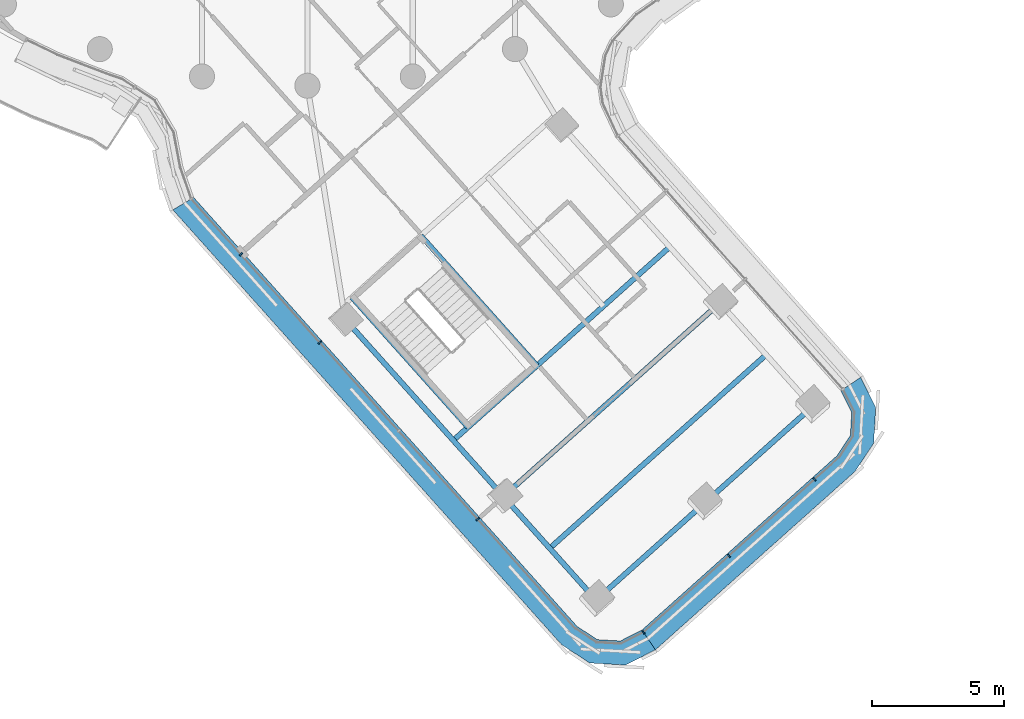
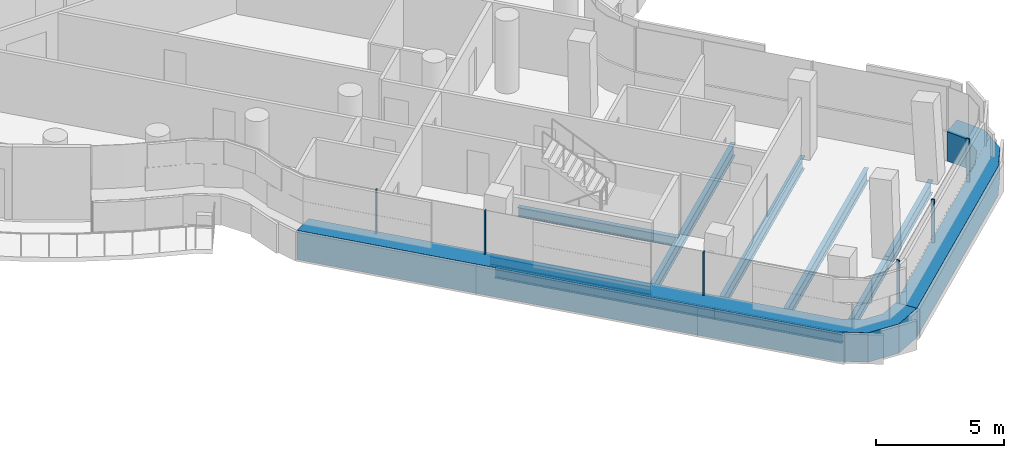
# One storey, part 4 of 33: 9 beams, 8 members, 2 elements without a shape of their own.
"""IFC4 building model written with IfcOpenShell, lengths in metres."""

from ifc_helpers import new_model, si_unit, direction, frame, origin, origin_2d, place, context, subcontext, project, spatial, polyline, rectangle, i_section, outline, extrude, material, layer, layer_set, material_profile, profile_set, type_object, element, aggregate, save


model = new_model("IFC4")

# Units and contexts
model_context = context("Model", 3, precision=1e-05, world=origin(), true_north=direction((0.0, 1.0)))
body_context = subcontext(model_context, "Body", "Model", "MODEL_VIEW")
ifc_project = project(units=[si_unit("LENGTHUNIT", "METRE"), si_unit("AREAUNIT", "SQUARE_METRE"), si_unit("VOLUMEUNIT", "CUBIC_METRE"), si_unit("PLANEANGLEUNIT", "RADIAN"), si_unit("MASSUNIT", "GRAM", prefix="KILO")], contexts=[model_context])

# Site, building, storey
site_placement = place(None, origin())
site = spatial("IfcSite", under=ifc_project, at=site_placement, CompositionType="ELEMENT")
building_placement = place(site_placement, origin())
building = spatial("IfcBuilding", under=site, at=building_placement, Name="Tamarind Cross Interchange Tower", CompositionType="ELEMENT")
storey_placement = place(building_placement, frame((0.0, 0.0, 186.10009765625)))
storey = spatial("IfcBuildingStorey", under=building, at=storey_placement, Name="L46", CompositionType="ELEMENT", Elevation=186.10009765625)

# Beams
ifc_material_1 = material(Name="Steel Q355B", Category="steel")
ifc_material_profile_1 = material_profile(ifc_material_1, i_section(OverallWidth=0.198974609375, OverallDepth=0.446044921875, WebThickness=0.008056640625, FlangeThickness=0.011962890625, FilletRadius=0.012939453125, at=origin_2d()), Name="HN 446x199x8x12")
ifc_profile_set_1 = profile_set([ifc_material_profile_1], Name="Steel Q355B")
beam_type_1 = type_object("IfcBeamType", Name="Composite beam HN 446x199x8x12 Q355B", PredefinedType="BEAM", material=ifc_profile_set_1)
beam_1_placement = place(storey_placement, frame((10.9375, -42.489501953125, -0.363037109375), z_axis=(-0.666424773134, 0.745572278021, 0.0), x_axis=(-0.745572278021, -0.666424773134, 0.0)))
element("IfcBeam", 1, at=beam_1_placement, inside=storey, type_object=beam_type_1, Name="Beam S-edgeem5", PredefinedType="BEAM", context=body_context, shape_type="SweptSolid", body=[
    extrude(i_section(OverallWidth=0.198974609375, OverallDepth=0.446044921875, WebThickness=0.008056640625, FlangeThickness=0.011962890625, FilletRadius=0.012939453125, at=origin_2d()), origin(), (0.0, 0.0, 1.0), 5.265380859375),
])
beam_2_placement = place(storey_placement, frame((7.428466796875, -38.563720703125, -0.363037109375), z_axis=(-0.666420511024, 0.745576087658, 0.0), x_axis=(-0.745576087658, -0.666420511024, 0.0)))
element("IfcBeam", 2, at=beam_2_placement, inside=storey, type_object=beam_type_1, Name="Beam S-edgeem6", PredefinedType="BEAM", context=body_context, shape_type="SweptSolid", body=[
    extrude(i_section(OverallWidth=0.198974609375, OverallDepth=0.446044921875, WebThickness=0.008056640625, FlangeThickness=0.011962890625, FilletRadius=0.012939453125, at=origin_2d()), origin(), (0.0, 0.0, 1.0), 9.0),
])
for number, where, z_axis, x_axis, name in (
    (3, (1.68994140625, -31.018310546875, -0.363037109375), (0.666436876651, -0.745561459197, 0.0), (0.745561459197, 0.666436876651, 0.0), "Beam S-tr0"),
    (4, (4.299560546875, -28.685791015625, -0.363037109375), (0.666436876651, -0.745561459197, 0.0), (0.745561459197, 0.666436876651, 0.0), "Beam S-tr1"),
):
    element("IfcBeam", number, at=place(storey_placement, frame(where, z_axis=z_axis, x_axis=x_axis)), inside=storey, type_object=beam_type_1, Name=name, PredefinedType="BEAM", context=body_context, shape_type="SweptSolid", body=[
        extrude(i_section(OverallWidth=0.198974609375, OverallDepth=0.446044921875, WebThickness=0.008056640625, FlangeThickness=0.011962890625, FilletRadius=0.012939453125, at=origin_2d()), origin(), (0.0, 0.0, 1.0), 6.599853515625),
    ])
ifc_material_profile_2 = material_profile(ifc_material_1, i_section(OverallWidth=0.198974609375, OverallDepth=0.595947265625, WebThickness=0.010009765625, FlangeThickness=0.014892578125, FilletRadius=0.012939453125, at=origin_2d()), Name="HN 596x199x10x15")
ifc_profile_set_2 = profile_set([ifc_material_profile_2], Name="Steel Q355B")
beam_type_2 = type_object("IfcBeamType", Name="Composite beam HN 596x199x10x15 Q355B", PredefinedType="BEAM", material=ifc_profile_set_2)
beam_3_placement = place(storey_placement, frame((10.9375, -42.489501953125, -0.43798828125), z_axis=(0.745569755737, 0.666427594965, 0.0), x_axis=(-0.666427594965, 0.745569755737, 0.0)))
element("IfcBeam", 5, at=beam_3_placement, inside=storey, type_object=beam_type_2, Name="Beam S-tip0", PredefinedType="BEAM", context=body_context, shape_type="SweptSolid", body=[
    extrude(i_section(OverallWidth=0.198974609375, OverallDepth=0.595947265625, WebThickness=0.010009765625, FlangeThickness=0.014892578125, FilletRadius=0.012939453125, at=origin_2d()), origin(), (0.0, 0.0, 1.0), 5.500244140625),
])
beam_4_placement = place(storey_placement, frame((15.038330078125, -38.823974609375, -0.43798828125), z_axis=(0.745572096965, 0.666424975693, 0.0), x_axis=(-0.666424975693, 0.745572096965, 0.0)))
element("IfcBeam", 6, at=beam_4_placement, inside=storey, type_object=beam_type_2, Name="Beam S-tip1", PredefinedType="BEAM", context=body_context, shape_type="SweptSolid", body=[
    extrude(i_section(OverallWidth=0.198974609375, OverallDepth=0.595947265625, WebThickness=0.010009765625, FlangeThickness=0.014892578125, FilletRadius=0.012939453125, at=origin_2d()), origin(), (0.0, 0.0, 1.0), 5.5),
])
beam_5_placement = place(storey_placement, frame((5.529296875, -36.438720703125, -0.43798828125), z_axis=(0.745572096965, 0.666424975693, 0.0), x_axis=(-0.666424975693, 0.745572096965, 0.0)))
element("IfcBeam", 7, at=beam_5_placement, inside=storey, type_object=beam_type_2, Name="Beam S-x364", PredefinedType="BEAM", context=body_context, shape_type="SweptSolid", body=[
    extrude(i_section(OverallWidth=0.198974609375, OverallDepth=0.595947265625, WebThickness=0.010009765625, FlangeThickness=0.014892578125, FilletRadius=0.012939453125, at=origin_2d()), origin(), (0.0, 0.0, 1.0), 10.999755859375),
])
beam_6_placement = place(storey_placement, frame((7.428466796875, -38.563720703125, -0.43798828125), z_axis=(0.745570926315, 0.666426285371, 0.0), x_axis=(-0.666426285371, 0.745570926315, 0.0)))
element("IfcBeam", 8, at=beam_6_placement, inside=storey, type_object=beam_type_2, Name="Beam S-x393", PredefinedType="BEAM", context=body_context, shape_type="SweptSolid", body=[
    extrude(i_section(OverallWidth=0.198974609375, OverallDepth=0.595947265625, WebThickness=0.010009765625, FlangeThickness=0.014892578125, FilletRadius=0.012939453125, at=origin_2d()), origin(), (0.0, 0.0, 1.0), 11.000244140625),
])
beam_7_placement = place(storey_placement, frame((9.18310546875, -40.526611328125, -0.43798828125), z_axis=(0.745561069078, 0.666437313087, 0.0), x_axis=(-0.666437313087, 0.745561069078, 0.0)))
element("IfcBeam", 9, at=beam_7_placement, inside=storey, type_object=beam_type_2, Name="Beam S-x419", PredefinedType="BEAM", context=body_context, shape_type="SweptSolid", body=[
    extrude(i_section(OverallWidth=0.198974609375, OverallDepth=0.595947265625, WebThickness=0.010009765625, FlangeThickness=0.014892578125, FilletRadius=0.012939453125, at=origin_2d()), origin(), (0.0, 0.0, 1.0), 11.0),
])

# Curtain wall, member
ifc_material_2 = material(Name="Aluminium 6063-T6", Category="aluminium")
ifc_layer = layer(ifc_material_2, 0.139892578125)
ifc_layer_set = layer_set([ifc_layer], Name="Aluminium 6063-T6")
curtain_wall_type = type_object("IfcCurtainWallType", Name="Hotel curtain wall, 4.5 m bays", PredefinedType="NOTDEFINED", material=ifc_layer_set)
curtain_wall_1_placement = place(storey_placement, origin())
curtain_wall_1 = element("IfcCurtainWall", 10, at=curtain_wall_1_placement, inside=storey, type_object=curtain_wall_type, Name="CWS-L46-03", PredefinedType="NOTDEFINED")
ifc_material_3 = material(Name="Aluminium and insulated spandrel panel", Category="aluminium")
member_type_1 = type_object("IfcMemberType", Name="Floor-edge blade transom", PredefinedType="USERDEFINED", material=ifc_material_3)
member_1_placement = place(storey_placement, origin())
member_1 = element("IfcMember", 11, at=member_1_placement, type_object=member_type_1, Name="CWT-L46-03", ObjectType="TRANSOM", PredefinedType="USERDEFINED", context=body_context, shape_type="SweptSolid", body=[
    extrude(outline(polyline([(-4.30712890625, -27.235107421875), (10.221435546875, -43.489013671875), (10.9873046875, -43.990234375), (11.860595703125, -44.039306640625), (12.677734375, -43.626708984375), (13.189208984375, -44.37646484375), (12.051025390625, -44.951416015625), (10.6962890625, -44.87548828125), (9.62939453125, -44.177001953125), (-5.097412109375, -27.701416015625), (-4.30712890625, -27.235107421875)])), origin(), (0.0, 0.0, 1.0), 1.39990234375),
])

curtain_wall_2_placement = place(storey_placement, origin())
curtain_wall_2 = element("IfcCurtainWall", 12, at=curtain_wall_2_placement, inside=storey, type_object=curtain_wall_type, Name="CWS-L46-04", PredefinedType="NOTDEFINED")
member_2_placement = place(storey_placement, origin())
member_2 = element("IfcMember", 13, at=member_2_placement, type_object=member_type_1, Name="CWT-L46-04", ObjectType="TRANSOM", PredefinedType="USERDEFINED", context=body_context, shape_type="SweptSolid", body=[
    extrude(outline(polyline([(12.677734375, -43.626708984375), (20.074462890625, -37.014892578125), (20.575927734375, -36.2490234375), (20.624755859375, -35.3759765625), (20.2119140625, -34.558349609375), (20.962646484375, -34.04833984375), (21.536865234375, -35.185546875), (21.4609375, -36.540283203125), (20.7626953125, -37.60693359375), (13.189208984375, -44.37646484375), (12.677734375, -43.626708984375)])), origin(), (0.0, 0.0, 1.0), 1.39990234375),
])

# Member
ifc_material_profile_3 = material_profile(ifc_material_2, rectangle(XDim=0.06005859375, YDim=0.139892578125, at=origin_2d()), Name="Mullion CW2")
ifc_profile_set_3 = profile_set([ifc_material_profile_3], Name="Aluminium 6063-T6")
member_type_2 = type_object("IfcMemberType", Name="Mullion CW2", PredefinedType="MULLION", material=ifc_profile_set_3)
member_3_placement = place(storey_placement, frame((-2.5166015625, -29.38818359375, 1.39990234375), z_axis=(0.0, 0.0, 1.0), x_axis=(0.666428375667, -0.745569057905, 0.0)))
member_3 = element("IfcMember", 14, at=member_3_placement, type_object=member_type_2, Name="CWM-L46-03-01", PredefinedType="MULLION", context=body_context, shape_type="SweptSolid", body=[
    extrude(rectangle(XDim=0.06005859375, YDim=0.139892578125, at=origin_2d()), origin(), (0.0, 0.0, 1.0), 2.06005859375),
])

member_4_placement = place(storey_placement, frame((0.47314453125, -32.733154296875, 1.39990234375), z_axis=(0.0, 0.0, 1.0), x_axis=(0.666428375667, -0.745569057905, 0.0)))
member_4 = element("IfcMember", 15, at=member_4_placement, type_object=member_type_2, Name="CWM-L46-03-02", PredefinedType="MULLION", context=body_context, shape_type="SweptSolid", body=[
    extrude(rectangle(XDim=0.06005859375, YDim=0.139892578125, at=origin_2d()), origin(), (0.0, 0.0, 1.0), 2.06005859375),
])

member_5_placement = place(storey_placement, frame((6.452880859375, -39.4228515625, 1.39990234375), z_axis=(0.0, 0.0, 1.0), x_axis=(0.666428375667, -0.745569057905, 0.0)))
member_5 = element("IfcMember", 16, at=member_5_placement, type_object=member_type_2, Name="CWM-L46-03-04", PredefinedType="MULLION", context=body_context, shape_type="SweptSolid", body=[
    extrude(rectangle(XDim=0.06005859375, YDim=0.139892578125, at=origin_2d()), origin(), (0.0, 0.0, 1.0), 2.06005859375),
])

aggregate(curtain_wall_1, [member_3, member_4, member_5, member_1])

member_6_placement = place(storey_placement, frame((12.734375, -43.7099609375, 1.39990234375), z_axis=(0.0, 0.0, 1.0), x_axis=(0.826176969523, 0.563410698363, 0.0)))
member_6 = element("IfcMember", 17, at=member_6_placement, type_object=member_type_2, Name="CWM-L46-04-00", PredefinedType="MULLION", context=body_context, shape_type="SweptSolid", body=[
    extrude(rectangle(XDim=0.06005859375, YDim=0.139892578125, at=origin_2d()), origin(), (0.0, 0.0, 1.0), 2.06005859375),
])

member_7_placement = place(storey_placement, frame((15.974365234375, -40.81396484375, 1.39990234375), z_axis=(0.0, 0.0, 1.0), x_axis=(0.745569057905, 0.666428375667, 0.0)))
member_7 = element("IfcMember", 18, at=member_7_placement, type_object=member_type_2, Name="CWM-L46-04-01", PredefinedType="MULLION", context=body_context, shape_type="SweptSolid", body=[
    extrude(rectangle(XDim=0.06005859375, YDim=0.139892578125, at=origin_2d()), origin(), (0.0, 0.0, 1.0), 2.06005859375),
])

member_8_placement = place(storey_placement, frame((19.21435546875, -37.91796875, 1.39990234375), z_axis=(0.0, 0.0, 1.0), x_axis=(0.745569057905, 0.666428375667, 0.0)))
member_8 = element("IfcMember", 19, at=member_8_placement, type_object=member_type_2, Name="CWM-L46-04-02", PredefinedType="MULLION", context=body_context, shape_type="SweptSolid", body=[
    extrude(rectangle(XDim=0.06005859375, YDim=0.139892578125, at=origin_2d()), origin(), (0.0, 0.0, 1.0), 2.06005859375),
])

aggregate(curtain_wall_2, [member_6, member_7, member_8, member_2])

save(model, "model.ifc")
